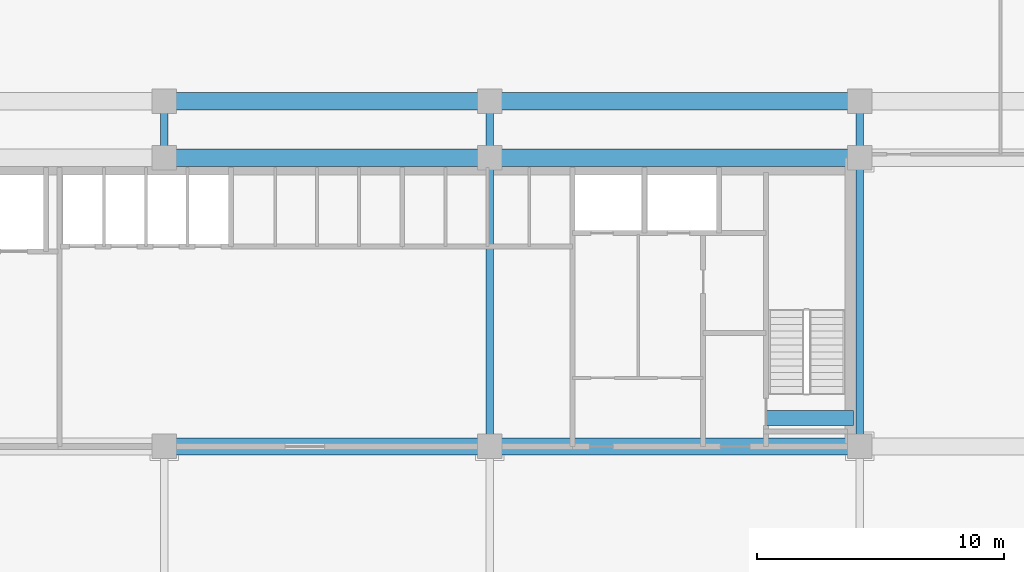
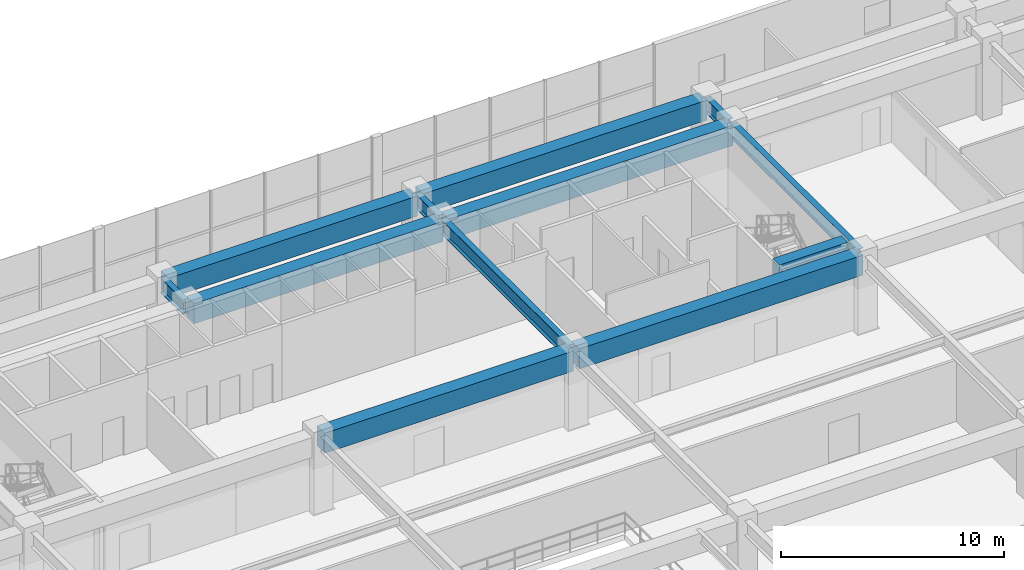
# One storey, part 7 of 21: 12 beams.
"""IFC4 building model written with IfcOpenShell, lengths in metres."""

from ifc_helpers import new_model, si_unit, direction, frame, origin, origin_2d, place, context, subcontext, project, spatial, rectangle, i_section, extrude, source, transform, mapped, material, material_profile, profile_set, type_object, element, save


model = new_model("IFC4")

# Units and contexts
model_context = context("Model", 3, precision=1e-05, world=origin(), true_north=direction((0.0, 1.0)))
body_context = subcontext(model_context, "Body", "Model", "MODEL_VIEW")
ifc_project = project(units=[si_unit("LENGTHUNIT", "METRE"), si_unit("AREAUNIT", "SQUARE_METRE"), si_unit("VOLUMEUNIT", "CUBIC_METRE"), si_unit("PLANEANGLEUNIT", "RADIAN"), si_unit("MASSUNIT", "GRAM", prefix="KILO")], contexts=[model_context])

# Site, building, storey
site_placement = place(None, origin())
site = spatial("IfcSite", under=ifc_project, at=site_placement, CompositionType="ELEMENT")
building_placement = place(site_placement, origin())
building = spatial("IfcBuilding", under=site, at=building_placement, Name="Trelvane Seafront Commons", CompositionType="ELEMENT")
storey_placement = place(building_placement, frame((0.0, 0.0, 14.199951171875)))
storey = spatial("IfcBuildingStorey", under=building, at=storey_placement, Name="L03", CompositionType="ELEMENT", Elevation=14.199951171875)

# Beams
ifc_material_1 = material(Name="Concrete C60/75", Category="concrete")
ifc_material_profile_1 = material_profile(ifc_material_1, rectangle(XDim=0.60009765625, YDim=0.89990234375, at=origin_2d()), Name="RC-600x900")
ifc_profile_set_1 = profile_set([ifc_material_profile_1], Name="Concrete C60/75")
beam_type_1 = type_object("IfcBeamType", Name="STR-LNT-RC600x900", PredefinedType="LINTEL", material=ifc_profile_set_1)
shared_shape_1 = source(origin(), body_context, "Body", "SweptSolid", [
    extrude(rectangle(XDim=0.60009765625, YDim=0.89990234375, at=origin_2d()), origin(), (0.0, 0.0, 1.0), 3.550048828125),
])
beam_placement = place(storey_placement, frame((55.0, 34.550048828125, 3.699951171875), z_axis=(1.0, 0.0, 0.0), x_axis=(0.0, 1.0, 0.0)))
element("IfcBeam", 1, at=beam_placement, inside=storey, type_object=beam_type_1, Name="L03 Core Coupling Lintel Beam CB-72", PredefinedType="LINTEL", context=body_context, shape_type="MappedRepresentation", body=[
    mapped(shared_shape_1, transform((0.0, 0.0, 0.0), x_axis=(1.0, 0.0, 0.0), y_axis=(0.0, 1.0, 0.0), z_axis=(0.0, 0.0, 1.0), scale=1.0)),
])
ifc_material_2 = material(Name="Concrete C50/60", Category="concrete")
ifc_material_profile_2 = material_profile(ifc_material_2, rectangle(XDim=0.699951171875, YDim=1.10009765625, at=origin_2d()), Name="RC-700x1100")
ifc_profile_set_2 = profile_set([ifc_material_profile_2], Name="Concrete C50/60")
beam_type_2 = type_object("IfcBeamType", Name="STR-TBM-RC700x1100", PredefinedType="T_BEAM", material=ifc_profile_set_2)
shared_shape_2 = source(origin(), body_context, "Body", "SweptSolid", [
    extrude(rectangle(XDim=0.699951171875, YDim=1.10009765625, at=origin_2d()), origin(), (0.0, 0.0, 1.0), 14.699951171875),
])
for number, where, z_axis, x_axis, name in (
    (2, (43.949951171875, 33.39990234375, 3.60009765625), (1.0, 0.0, 0.0), (0.0, 1.0, 0.0), "L03 Primary Girder G-17"),
    (3, (43.949951171875, 45.10009765625, 3.60009765625), (1.0, 0.0, 0.0), (0.0, 1.0, 0.0), "L03 Primary Girder G-23"),
    (4, (43.949951171875, 47.39990234375, 3.60009765625), (1.0, 0.0, 0.0), (0.0, 1.0, 0.0), "L03 Primary Girder G-29"),
):
    element("IfcBeam", number, at=place(storey_placement, frame(where, z_axis=z_axis, x_axis=x_axis)), inside=storey, type_object=beam_type_2, Name=name, PredefinedType="T_BEAM", context=body_context, shape_type="MappedRepresentation", body=[
        mapped(shared_shape_2, transform((0.0, 0.0, 0.0), x_axis=(1.0, 0.0, 0.0), y_axis=(0.0, 1.0, 0.0), z_axis=(0.0, 0.0, 1.0), scale=1.0)),
    ])
shared_shape_3 = source(origin(), body_context, "Body", "SweptSolid", [
    extrude(rectangle(XDim=0.699951171875, YDim=1.10009765625, at=origin_2d()), origin(), (0.0, 0.0, 1.0), 12.89990234375),
])
for number, where, z_axis, x_axis, name in (
    (5, (30.75, 33.39990234375, 3.60009765625), (1.0, 0.0, 0.0), (0.0, 1.0, 0.0), "L03 Primary Girder G-16"),
    (6, (30.75, 45.10009765625, 3.60009765625), (1.0, 0.0, 0.0), (0.0, 1.0, 0.0), "L03 Primary Girder G-22"),
    (7, (30.75, 47.39990234375, 3.60009765625), (1.0, 0.0, 0.0), (0.0, 1.0, 0.0), "L03 Primary Girder G-28"),
):
    element("IfcBeam", number, at=place(storey_placement, frame(where, z_axis=z_axis, x_axis=x_axis)), inside=storey, type_object=beam_type_2, Name=name, PredefinedType="T_BEAM", context=body_context, shape_type="MappedRepresentation", body=[
        mapped(shared_shape_3, transform((0.0, 0.0, 0.0), x_axis=(1.0, 0.0, 0.0), y_axis=(0.0, 1.0, 0.0), z_axis=(0.0, 0.0, 1.0), scale=1.0)),
    ])
ifc_material_3 = material(Name="Steel SM355 (S355)", Category="steel")
ifc_material_profile_3 = material_profile(ifc_material_3, i_section(OverallWidth=0.300048828125, OverallDepth=0.800048828125, WebThickness=0.013916015625, FlangeThickness=0.02587890625, at=origin_2d()), Name="H-800x300x14x26")
ifc_profile_set_3 = profile_set([ifc_material_profile_3], Name="Steel SM355 (S355)")
beam_type_3 = type_object("IfcBeamType", Name="STR-BM-H800", PredefinedType="BEAM", material=ifc_profile_set_3)
shared_shape_4 = source(origin(), body_context, "Body", "SweptSolid", [
    extrude(i_section(OverallWidth=0.300048828125, OverallDepth=0.800048828125, WebThickness=0.013916015625, FlangeThickness=0.02587890625, at=origin_2d()), origin(), (0.0, 0.0, 1.0), 11.39990234375),
])
for number, where, z_axis, x_axis, name in (
    (8, (43.800048828125, 33.550048828125, 3.75), (0.0, 1.0, 0.0), (-1.0, 0.0, 0.0), "L03 Primary Girder G-49"),
    (9, (58.800048828125, 33.550048828125, 3.75), (0.0, 1.0, 0.0), (-1.0, 0.0, 0.0), "L03 Primary Girder G-53"),
):
    element("IfcBeam", number, at=place(storey_placement, frame(where, z_axis=z_axis, x_axis=x_axis)), inside=storey, type_object=beam_type_3, Name=name, PredefinedType="BEAM", context=body_context, shape_type="MappedRepresentation", body=[
        mapped(shared_shape_4, transform((0.0, 0.0, 0.0), x_axis=(1.0, 0.0, 0.0), y_axis=(0.0, 1.0, 0.0), z_axis=(0.0, 0.0, 1.0), scale=1.0)),
    ])
shared_shape_5 = source(origin(), body_context, "Body", "SweptSolid", [
    extrude(i_section(OverallWidth=0.300048828125, OverallDepth=0.800048828125, WebThickness=0.013916015625, FlangeThickness=0.02587890625, at=origin_2d()), origin(), (0.0, 0.0, 1.0), 2.0),
])
for number, where, z_axis, x_axis, name in (
    (10, (30.60009765625, 45.25, 3.75), (0.0, 1.0, 0.0), (-1.0, 0.0, 0.0), "L03 Primary Girder G-46"),
    (11, (43.800048828125, 45.25, 3.75), (0.0, 1.0, 0.0), (-1.0, 0.0, 0.0), "L03 Primary Girder G-50"),
    (12, (58.800048828125, 45.25, 3.75), (0.0, 1.0, 0.0), (-1.0, 0.0, 0.0), "L03 Primary Girder G-54"),
):
    element("IfcBeam", number, at=place(storey_placement, frame(where, z_axis=z_axis, x_axis=x_axis)), inside=storey, type_object=beam_type_3, Name=name, PredefinedType="BEAM", context=body_context, shape_type="MappedRepresentation", body=[
        mapped(shared_shape_5, transform((0.0, 0.0, 0.0), x_axis=(1.0, 0.0, 0.0), y_axis=(0.0, 1.0, 0.0), z_axis=(0.0, 0.0, 1.0), scale=1.0)),
    ])

save(model, "model.ifc")
